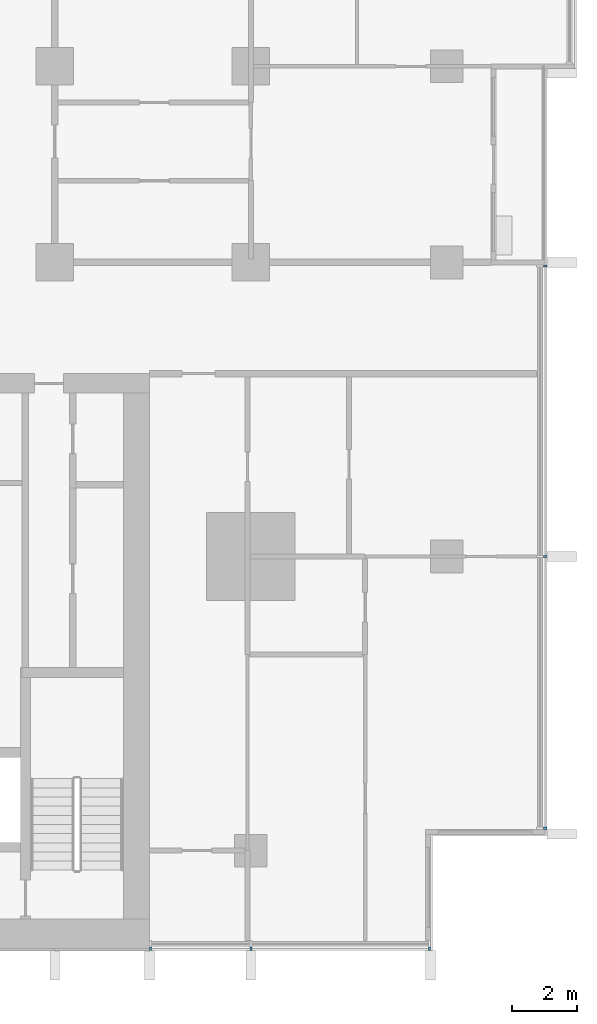
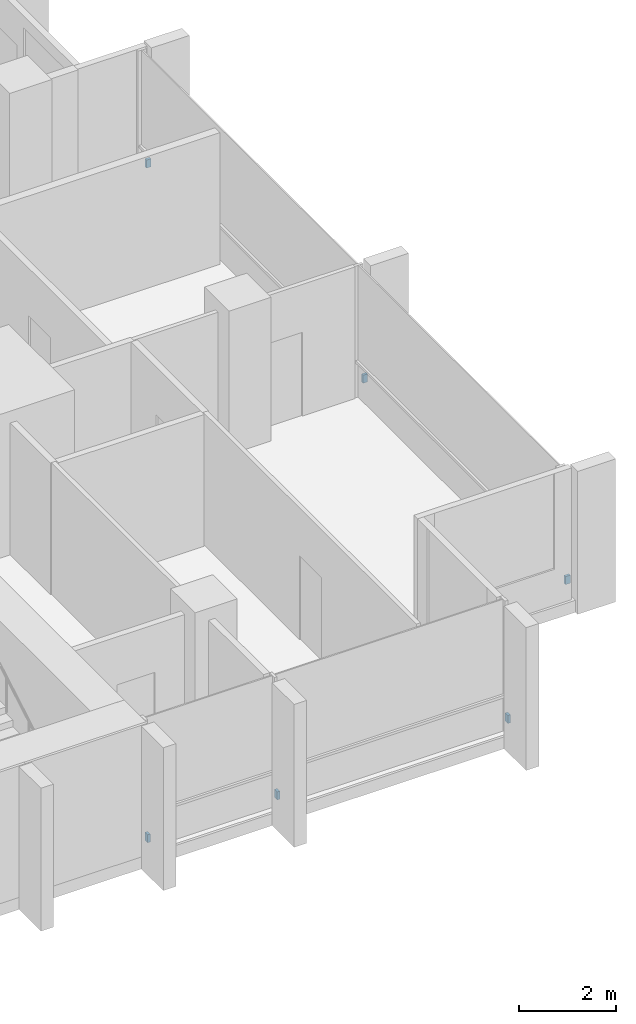
# One storey, part 15 of 18: 6 discrete accessories.
"""IFC4 building model written with IfcOpenShell, lengths in metres."""

from ifc_helpers import new_model, si_unit, direction, frame, origin, origin_2d, place, context, subcontext, project, spatial, rectangle, extrude, material, type_object, element, save


model = new_model("IFC4")

# Units and contexts
model_context = context("Model", 3, precision=1e-05, world=origin(), true_north=direction((0.0, 1.0)))
body_context = subcontext(model_context, "Body", "Model", "MODEL_VIEW")
ifc_project = project(units=[si_unit("LENGTHUNIT", "METRE"), si_unit("AREAUNIT", "SQUARE_METRE"), si_unit("VOLUMEUNIT", "CUBIC_METRE"), si_unit("PLANEANGLEUNIT", "RADIAN"), si_unit("MASSUNIT", "GRAM", prefix="KILO")], contexts=[model_context])

# Site, building, storey
site_placement = place(None, origin())
site = spatial("IfcSite", under=ifc_project, at=site_placement, CompositionType="ELEMENT")
building_placement = place(site_placement, origin())
building = spatial("IfcBuilding", under=site, at=building_placement, Name="Finial Court Residences", CompositionType="ELEMENT")
storey_placement = place(building_placement, frame((0.0, 0.0, 84.699951171875)))
storey = spatial("IfcBuildingStorey", under=building, at=storey_placement, Name="L20", CompositionType="ELEMENT", Elevation=84.699951171875)

# Discrete accessories
ifc_material = material(Name="Stainless steel 316", Category="steel")
discrete_accessory_type = type_object("IfcDiscreteAccessoryType", Name="Fin bracket, stainless steel 65 x 110 x 200", PredefinedType="BRACKET", material=ifc_material)
for number, where, z_axis, x_axis, name in (
    (1, (25.5048828125, -21.8173828125, 0.30029296875), (0.0, 0.0, 1.0), (1.0, 0.0, 0.0), "E-L20-FIN-E9-BRK"),
    (2, (25.5048828125, -13.5, 0.30029296875), (0.0, 0.0, 1.0), (1.0, 0.0, 0.0), "E-L20-FIN-E10-BRK"),
    (3, (25.5048828125, -4.607421875, 0.30029296875), (0.0, 0.0, 1.0), (1.0, 0.0, 0.0), "E-L20-FIN-E11-BRK"),
):
    element("IfcDiscreteAccessory", number, at=place(storey_placement, frame(where, z_axis=z_axis, x_axis=x_axis)), inside=storey, type_object=discrete_accessory_type, Name=name, PredefinedType="BRACKET", context=body_context, shape_type="SweptSolid", body=[
        extrude(rectangle(XDim=0.110107421875, YDim=0.06494140625, at=origin_2d()), origin(), (0.0, 0.0, 1.0), 0.199951171875),
    ])
for number, where, z_axis, x_axis, name in (
    (4, (13.4326171875, -25.5048828125, 0.30029296875), (0.0, 0.0, 1.0), (1.0, 0.0, 0.0), "E-L20-FIN-S23-BRK"),
    (5, (16.5, -25.5048828125, 0.30029296875), (0.0, 0.0, 1.0), (1.0, 0.0, 0.0), "E-L20-FIN-S24-BRK"),
    (6, (21.967529296875, -25.5048828125, 0.30029296875), (0.0, 0.0, 1.0), (1.0, 0.0, 0.0), "E-L20-FIN-S25-BRK"),
):
    element("IfcDiscreteAccessory", number, at=place(storey_placement, frame(where, z_axis=z_axis, x_axis=x_axis)), inside=storey, type_object=discrete_accessory_type, Name=name, PredefinedType="BRACKET", context=body_context, shape_type="SweptSolid", body=[
        extrude(rectangle(XDim=0.06494140625, YDim=0.110107421875, at=origin_2d()), origin(), (0.0, 0.0, 1.0), 0.199951171875),
    ])

save(model, "model.ifc")
